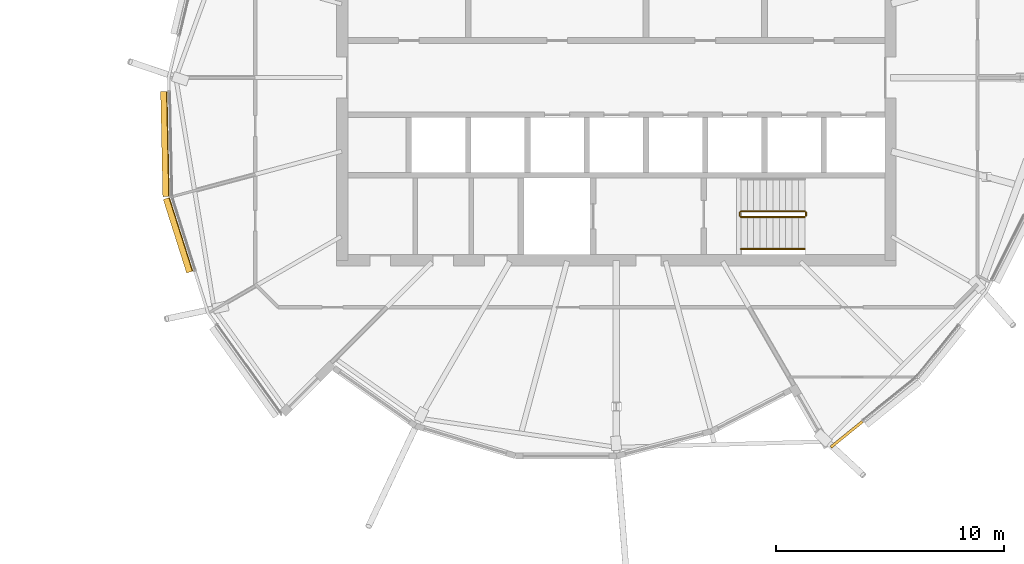
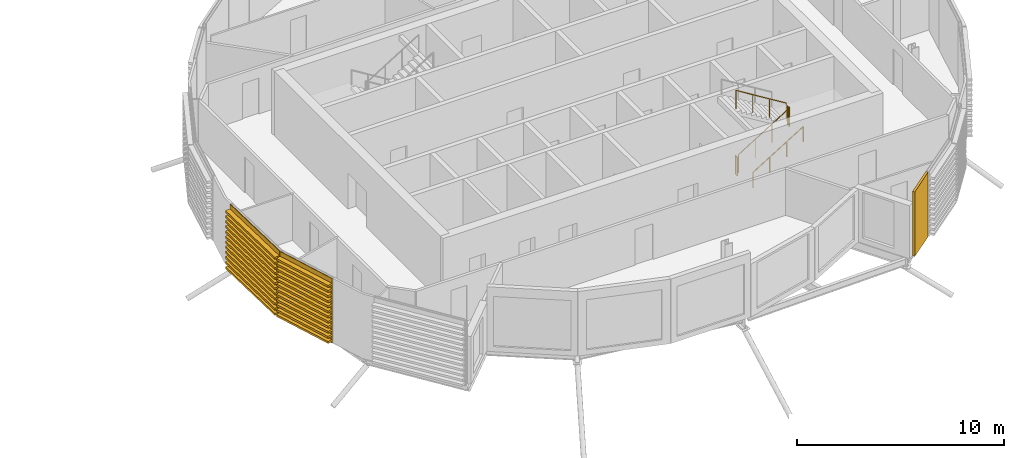
# One storey, part 32 of 35: 5 railings, 3 coverings.
"""IFC4 building model written with IfcOpenShell, lengths in metres."""

from ifc_helpers import new_model, si_unit, direction, frame, origin, origin_2d, place, context, subcontext, project, spatial, polyline, circle, outline, extrude, material, layer, layer_set, material_profile, profile_set, type_object, element, save


model = new_model("IFC4")

# Units and contexts
model_context = context("Model", 3, precision=1e-05, world=origin(), true_north=direction((0.0, 1.0)))
body_context = subcontext(model_context, "Body", "Model", "MODEL_VIEW")
ifc_project = project(units=[si_unit("LENGTHUNIT", "METRE"), si_unit("AREAUNIT", "SQUARE_METRE"), si_unit("VOLUMEUNIT", "CUBIC_METRE"), si_unit("PLANEANGLEUNIT", "RADIAN"), si_unit("MASSUNIT", "GRAM", prefix="KILO")], contexts=[model_context])

# Site, building, storey
site_placement = place(None, origin())
site = spatial("IfcSite", under=ifc_project, at=site_placement, CompositionType="ELEMENT")
building_placement = place(site_placement, origin())
building = spatial("IfcBuilding", under=site, at=building_placement, Name="Rimbun Link Towers", CompositionType="ELEMENT")
storey_placement = place(building_placement, frame((0.0, 0.0, 225.699951171875)))
storey = spatial("IfcBuildingStorey", under=building, at=storey_placement, Name="L55", CompositionType="ELEMENT", Elevation=225.699951171875)

# Covering
ifc_material_1 = material(Name="Terracotta", Category="masonry")
ifc_layer = layer(ifc_material_1, 0.1201171875)
ifc_layer_set = layer_set([ifc_layer], Name="LINK PIER terracotta cladding 120")
covering_type_1 = type_object("IfcCoveringType", Name="LINK PIER terracotta cladding 120", PredefinedType="CLADDING", material=ifc_layer_set)
covering_1_placement = place(storey_placement, origin())
element("IfcCovering", 1, at=covering_1_placement, inside=storey, type_object=covering_type_1, Name="LINK PIER cladding", PredefinedType="CLADDING", context=body_context, shape_type="SweptSolid", body=[
    extrude(outline(polyline([(42.48828125, -15.00390625), (41.096923828125, -16.130126953125), (41.172607421875, -16.223388671875), (42.563720703125, -15.097412109375), (42.48828125, -15.00390625)])), origin(), (0.0, 0.0, 1.0), 3.800048828125),
])

# Railings
ifc_material_2 = material(Name="Stainless steel grade 316", Category="steel")
railing_type_1 = type_object("IfcRailingType", Name="Stair guard", PredefinedType="GUARDRAIL", material=ifc_material_2)
railing_1_placement = place(storey_placement, frame((37.199951171875, -6.10009765625, 0.1728515625)))
element("IfcRailing", 2, at=railing_1_placement, inside=storey, type_object=railing_type_1, Name="L55 ST4 stair guard 1", PredefinedType="GUARDRAIL", context=body_context, shape_type="SweptSolid", body=[
    extrude(circle(Radius=0.02392578125, at=origin_2d()), frame((0.0, 0.0, 1.076171875), z_axis=(0.851089632645, 0.0, 0.525020415988), x_axis=(0.0, 1.0, 0.0)), (0.0, 0.0, 1.0), 3.2900390625),
    extrude(circle(Radius=0.02099609375, at=origin_2d()), origin(), (0.0, 0.0, 1.0), 1.052001953125),
    extrude(circle(Radius=0.02099609375, at=origin_2d()), frame((0.933349609375, 0.0, 0.57568359375)), (0.0, 0.0, 1.0), 1.052001953125),
    extrude(circle(Radius=0.02099609375, at=origin_2d()), frame((1.86669921875, 0.0, 1.151611328125)), (0.0, 0.0, 1.0), 1.052001953125),
    extrude(circle(Radius=0.02099609375, at=origin_2d()), frame((2.800048828125, 0.0, 1.727294921875)), (0.0, 0.0, 1.0), 1.052001953125),
])
railing_2_placement = place(storey_placement, frame((40.050048828125, -6.050048828125, 1.900146484375)))
element("IfcRailing", 3, at=railing_2_placement, inside=storey, type_object=railing_type_1, Name="L55 ST4 stair guard 2", PredefinedType="GUARDRAIL", context=body_context, shape_type="SweptSolid", body=[
    extrude(circle(Radius=0.02392578125, at=origin_2d()), frame((0.0, 0.0, 1.076171875), z_axis=(0.0, 1.0, 0.0), x_axis=(-1.0, 0.0, 0.0)), (0.0, 0.0, 1.0), 0.150146484375),
    extrude(circle(Radius=0.02099609375, at=origin_2d()), origin(), (0.0, 0.0, 1.0), 1.052001953125),
    extrude(circle(Radius=0.02099609375, at=origin_2d()), frame((0.0, 0.150146484375, 0.0)), (0.0, 0.0, 1.0), 1.052001953125),
])
railing_3_placement = place(storey_placement, frame((40.0, -5.85009765625, 2.07275390625)))
element("IfcRailing", 4, at=railing_3_placement, inside=storey, type_object=railing_type_1, Name="L55 ST4 stair guard 3", PredefinedType="GUARDRAIL", context=body_context, shape_type="SweptSolid", body=[
    extrude(circle(Radius=0.02392578125, at=origin_2d()), frame((0.0, 0.0, 1.076171875), z_axis=(-0.851089632645, 0.0, 0.525020415988), x_axis=(0.0, -1.0, 0.0)), (0.0, 0.0, 1.0), 3.2900390625),
    extrude(circle(Radius=0.02099609375, at=origin_2d()), origin(), (0.0, 0.0, 1.0), 1.052001953125),
    extrude(circle(Radius=0.02099609375, at=origin_2d()), frame((-0.933349609375, 0.0, 0.57568359375)), (0.0, 0.0, 1.0), 1.052001953125),
    extrude(circle(Radius=0.02099609375, at=origin_2d()), frame((-1.86669921875, 0.0, 1.151611328125)), (0.0, 0.0, 1.0), 1.052001953125),
    extrude(circle(Radius=0.02099609375, at=origin_2d()), frame((-2.800048828125, 0.0, 1.727294921875)), (0.0, 0.0, 1.0), 1.052001953125),
])
railing_4_placement = place(storey_placement, frame((37.14990234375, -6.050048828125, 0.0)))
element("IfcRailing", 5, at=railing_4_placement, inside=storey, type_object=railing_type_1, Name="L55 ST4 stair guard 4", PredefinedType="GUARDRAIL", context=body_context, shape_type="SweptSolid", body=[
    extrude(circle(Radius=0.02392578125, at=origin_2d()), frame((0.0, 0.0, 1.076171875), z_axis=(0.0, 1.0, 0.0), x_axis=(-1.0, 0.0, 0.0)), (0.0, 0.0, 1.0), 0.150146484375),
    extrude(circle(Radius=0.02099609375, at=origin_2d()), origin(), (0.0, 0.0, 1.0), 1.052001953125),
    extrude(circle(Radius=0.02099609375, at=origin_2d()), frame((0.0, 0.150146484375, 0.0)), (0.0, 0.0, 1.0), 1.052001953125),
])
ifc_material_3 = material(Name="Stainless steel grade 316", Category="steel")
railing_type_2 = type_object("IfcRailingType", Name="Stair handrail", PredefinedType="HANDRAIL", material=ifc_material_3)
railing_5_placement = place(storey_placement, frame((37.199951171875, -7.5, 0.1728515625)))
element("IfcRailing", 6, at=railing_5_placement, inside=storey, type_object=railing_type_2, Name="L55 ST4 stair handrail 1", PredefinedType="HANDRAIL", context=body_context, shape_type="SweptSolid", body=[
    extrude(circle(Radius=0.02392578125, at=origin_2d()), frame((0.0, 0.0, 0.8759765625), z_axis=(0.851089632645, 0.0, 0.525020415988), x_axis=(0.0, 1.0, 0.0)), (0.0, 0.0, 1.0), 3.2900390625),
    extrude(circle(Radius=0.02099609375, at=origin_2d()), origin(), (0.0, 0.0, 1.0), 0.851806640625),
    extrude(circle(Radius=0.02099609375, at=origin_2d()), frame((0.933349609375, 0.0, 0.57568359375)), (0.0, 0.0, 1.0), 0.851806640625),
    extrude(circle(Radius=0.02099609375, at=origin_2d()), frame((1.86669921875, 0.0, 1.151611328125)), (0.0, 0.0, 1.0), 0.851806640625),
    extrude(circle(Radius=0.02099609375, at=origin_2d()), frame((2.800048828125, 0.0, 1.727294921875)), (0.0, 0.0, 1.0), 0.851806640625),
])

# Coverings
ifc_material_4 = material(Name="Terracotta", Category="masonry")
ifc_material_profile = material_profile(ifc_material_4, outline(polyline([(0.123046875, 0.0), (0.1630859375, 0.0), (0.1630859375, 0.10009765625), (0.423095703125, 0.10009765625), (0.423095703125, 0.219970703125), (0.1630859375, 0.219970703125), (0.1630859375, 0.39990234375), (0.423095703125, 0.39990234375), (0.423095703125, 0.52001953125), (0.1630859375, 0.52001953125), (0.1630859375, 0.699951171875), (0.423095703125, 0.699951171875), (0.423095703125, 0.820068359375), (0.1630859375, 0.820068359375), (0.1630859375, 1.0), (0.423095703125, 1.0), (0.423095703125, 1.1201171875), (0.1630859375, 1.1201171875), (0.1630859375, 1.300048828125), (0.423095703125, 1.300048828125), (0.423095703125, 1.419921875), (0.1630859375, 1.419921875), (0.1630859375, 1.60009765625), (0.423095703125, 1.60009765625), (0.423095703125, 1.719970703125), (0.1630859375, 1.719970703125), (0.1630859375, 1.89990234375), (0.423095703125, 1.89990234375), (0.423095703125, 2.02001953125), (0.1630859375, 2.02001953125), (0.1630859375, 2.199951171875), (0.423095703125, 2.199951171875), (0.423095703125, 2.320068359375), (0.1630859375, 2.320068359375), (0.1630859375, 2.5), (0.423095703125, 2.5), (0.423095703125, 2.6201171875), (0.1630859375, 2.6201171875), (0.1630859375, 2.800048828125), (0.423095703125, 2.800048828125), (0.423095703125, 2.919921875), (0.1630859375, 2.919921875), (0.1630859375, 3.10009765625), (0.423095703125, 3.10009765625), (0.423095703125, 3.219970703125), (0.1630859375, 3.219970703125), (0.1630859375, 3.39990234375), (0.423095703125, 3.39990234375), (0.423095703125, 3.52001953125), (0.1630859375, 3.52001953125), (0.1630859375, 3.800048828125), (0.123046875, 3.800048828125), (0.123046875, 0.0)])), Name="BAGUETTE 120X300")
ifc_profile_set = profile_set([ifc_material_profile], Name="Terracotta")
covering_type_2 = type_object("IfcCoveringType", Name="TERRACOTTA BAGUETTE 120X300 H3800", PredefinedType="CLADDING", material=ifc_profile_set)
covering_2_placement = place(storey_placement, frame((12.322509765625, -5.20556640625, 0.0), z_axis=(-0.021092576501, 0.999777526861, 0.0), x_axis=(-0.999777526861, -0.021092576501, 0.0)))
element("IfcCovering", 7, at=covering_2_placement, inside=storey, type_object=covering_type_2, Name="TERRACOTTA BAGUETTE", PredefinedType="CLADDING", context=body_context, shape_type="SweptSolid", body=[
    extrude(outline(polyline([(0.123046875, 0.0), (0.1630859375, 0.0), (0.1630859375, 0.10009765625), (0.423095703125, 0.10009765625), (0.423095703125, 0.219970703125), (0.1630859375, 0.219970703125), (0.1630859375, 0.39990234375), (0.423095703125, 0.39990234375), (0.423095703125, 0.52001953125), (0.1630859375, 0.52001953125), (0.1630859375, 0.699951171875), (0.423095703125, 0.699951171875), (0.423095703125, 0.820068359375), (0.1630859375, 0.820068359375), (0.1630859375, 1.0), (0.423095703125, 1.0), (0.423095703125, 1.1201171875), (0.1630859375, 1.1201171875), (0.1630859375, 1.300048828125), (0.423095703125, 1.300048828125), (0.423095703125, 1.419921875), (0.1630859375, 1.419921875), (0.1630859375, 1.60009765625), (0.423095703125, 1.60009765625), (0.423095703125, 1.719970703125), (0.1630859375, 1.719970703125), (0.1630859375, 1.89990234375), (0.423095703125, 1.89990234375), (0.423095703125, 2.02001953125), (0.1630859375, 2.02001953125), (0.1630859375, 2.199951171875), (0.423095703125, 2.199951171875), (0.423095703125, 2.320068359375), (0.1630859375, 2.320068359375), (0.1630859375, 2.5), (0.423095703125, 2.5), (0.423095703125, 2.6201171875), (0.1630859375, 2.6201171875), (0.1630859375, 2.800048828125), (0.423095703125, 2.800048828125), (0.423095703125, 2.919921875), (0.1630859375, 2.919921875), (0.1630859375, 3.10009765625), (0.423095703125, 3.10009765625), (0.423095703125, 3.219970703125), (0.1630859375, 3.219970703125), (0.1630859375, 3.39990234375), (0.423095703125, 3.39990234375), (0.423095703125, 3.52001953125), (0.1630859375, 3.52001953125), (0.1630859375, 3.800048828125), (0.123046875, 3.800048828125), (0.123046875, 0.0)])), origin(), (0.0, 0.0, 1.0), 4.606689453125),
])
covering_3_placement = place(storey_placement, frame((13.346435546875, -8.42578125, 0.0), z_axis=(-0.303018755259, 0.95298459272, 0.0), x_axis=(-0.95298459272, -0.303018755259, 0.0)))
element("IfcCovering", 8, at=covering_3_placement, inside=storey, type_object=covering_type_2, Name="TERRACOTTA BAGUETTE", PredefinedType="CLADDING", context=body_context, shape_type="SweptSolid", body=[
    extrude(outline(polyline([(0.123046875, 0.0), (0.1630859375, 0.0), (0.1630859375, 0.10009765625), (0.423095703125, 0.10009765625), (0.423095703125, 0.219970703125), (0.1630859375, 0.219970703125), (0.1630859375, 0.39990234375), (0.423095703125, 0.39990234375), (0.423095703125, 0.52001953125), (0.1630859375, 0.52001953125), (0.1630859375, 0.699951171875), (0.423095703125, 0.699951171875), (0.423095703125, 0.820068359375), (0.1630859375, 0.820068359375), (0.1630859375, 1.0), (0.423095703125, 1.0), (0.423095703125, 1.1201171875), (0.1630859375, 1.1201171875), (0.1630859375, 1.300048828125), (0.423095703125, 1.300048828125), (0.423095703125, 1.419921875), (0.1630859375, 1.419921875), (0.1630859375, 1.60009765625), (0.423095703125, 1.60009765625), (0.423095703125, 1.719970703125), (0.1630859375, 1.719970703125), (0.1630859375, 1.89990234375), (0.423095703125, 1.89990234375), (0.423095703125, 2.02001953125), (0.1630859375, 2.02001953125), (0.1630859375, 2.199951171875), (0.423095703125, 2.199951171875), (0.423095703125, 2.320068359375), (0.1630859375, 2.320068359375), (0.1630859375, 2.5), (0.423095703125, 2.5), (0.423095703125, 2.6201171875), (0.1630859375, 2.6201171875), (0.1630859375, 2.800048828125), (0.423095703125, 2.800048828125), (0.423095703125, 2.919921875), (0.1630859375, 2.919921875), (0.1630859375, 3.10009765625), (0.423095703125, 3.10009765625), (0.423095703125, 3.219970703125), (0.1630859375, 3.219970703125), (0.1630859375, 3.39990234375), (0.423095703125, 3.39990234375), (0.423095703125, 3.52001953125), (0.1630859375, 3.52001953125), (0.1630859375, 3.800048828125), (0.123046875, 3.800048828125), (0.123046875, 0.0)])), origin(), (0.0, 0.0, 1.0), 3.379150390625),
])

save(model, "model.ifc")
